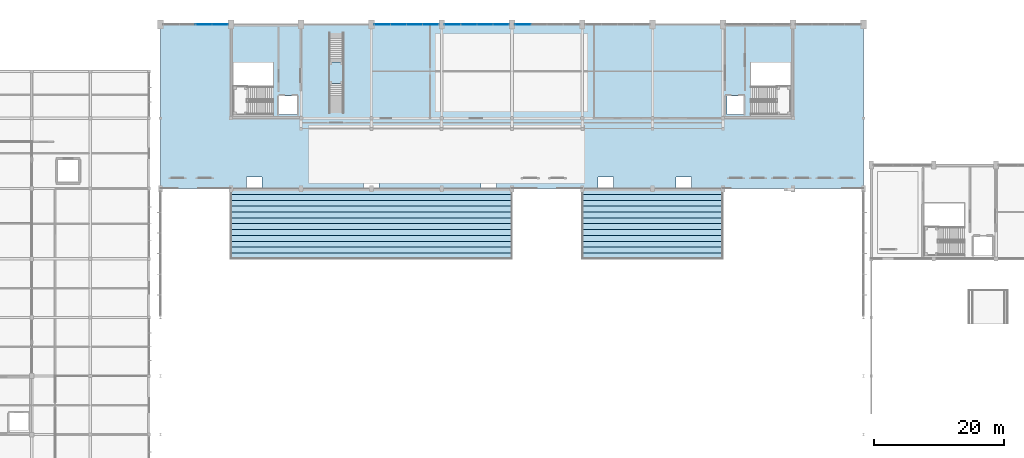
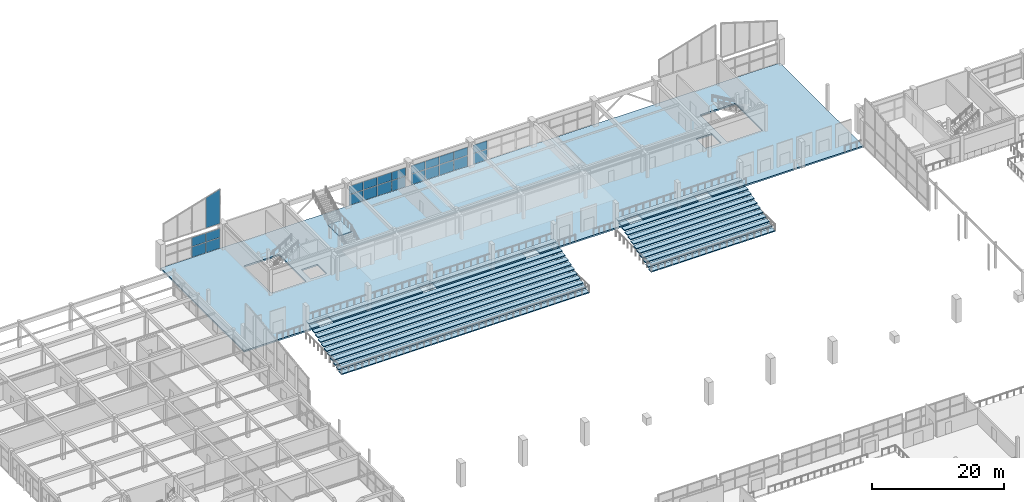
# One storey, part 43 of 74: 26 slabs, 23 plates, 6 elements without a shape of their own.
"""IFC4 building model written with IfcOpenShell, lengths in metres."""

from ifc_helpers import new_model, si_unit, direction, frame, origin, place, context, subcontext, project, spatial, polyline, outline, extrude, material, layer, layer_set, type_object, element, aggregate, save


model = new_model("IFC4")

# Units and contexts
model_context = context("Model", 3, precision=1e-05, world=origin(), true_north=direction((0.0, 1.0)))
body_context = subcontext(model_context, "Body", "Model", "MODEL_VIEW")
ifc_project = project(units=[si_unit("LENGTHUNIT", "METRE"), si_unit("AREAUNIT", "SQUARE_METRE"), si_unit("VOLUMEUNIT", "CUBIC_METRE"), si_unit("PLANEANGLEUNIT", "RADIAN"), si_unit("MASSUNIT", "GRAM", prefix="KILO")], contexts=[model_context])

# Site, building, storey
site_placement = place(None, origin())
site = spatial("IfcSite", under=ifc_project, at=site_placement, CompositionType="ELEMENT")
building_placement = place(site_placement, origin())
building = spatial("IfcBuilding", under=site, at=building_placement, Name="Suirenkawa Promenade Aquatics Centre", CompositionType="ELEMENT")
storey_placement = place(building_placement, frame((0.0, 0.0, 4.800048828125)))
storey = spatial("IfcBuildingStorey", under=building, at=storey_placement, Name="L01", CompositionType="ELEMENT", Elevation=4.800048828125)

# Curtain wall, plate
ifc_material_1 = material(Name="Anodised aluminium 6063-T6", Category="aluminium")
curtain_wall_type_1 = type_object("IfcCurtainWallType", Name="CWAT-CLERN-06", PredefinedType="NOTDEFINED", material=ifc_material_1)
curtain_wall_1_placement = place(storey_placement, origin())
curtain_wall_1 = element("IfcCurtainWall", 1, at=curtain_wall_1_placement, inside=storey, type_object=curtain_wall_type_1, Name="Curtain wall CWA-06 CW-010", PredefinedType="NOTDEFINED")
ifc_material_2 = material(Name="Ceramic-fritted low-SHGC double glazing", Category="glass")
ifc_layer_1 = layer(ifc_material_2, 0.031982421875, Name="Ceramic-fritted low-SHGC double glazing", Category="glass")
ifc_layer_set_1 = layer_set([ifc_layer_1], Name="Ceramic-fritted low-SHGC double glazing")
plate_type_1 = type_object("IfcPlateType", Name="CWP-CLER-32", PredefinedType="CURTAIN_PANEL", material=ifc_layer_set_1)
plate_1_placement = place(storey_placement, frame((54.675537109375, 122.39990234375, 4.599853515625), z_axis=(0.0, 0.0, 1.0), x_axis=(1.0, 0.0, 0.0)))
plate_1 = element("IfcPlate", 2, at=plate_1_placement, type_object=plate_type_1, Name="Top glazed panel CP-03 CWP-00242", PredefinedType="CURTAIN_PANEL", context=body_context, shape_type="SweptSolid", body=[
    extrude(outline(polyline([(0.0400390625, 0.0), (2.435546875, 0.0), (2.435546875, 6.31005859375), (0.0400390625, 5.56005859375), (0.0400390625, 0.0)])), frame((0.0, 0.01611328125, 0.0), z_axis=(0.0, -1.0, 0.0), x_axis=(1.0, 0.0, 0.0)), (0.0, 0.0, 1.0), 0.031982421875),
])
aggregate(curtain_wall_1, [plate_1])

# Curtain wall, plates
curtain_wall_type_2 = type_object("IfcCurtainWallType", Name="CWAT-V1CONC-07", PredefinedType="NOTDEFINED", material=ifc_material_1)
curtain_wall_2_placement = place(storey_placement, origin())
curtain_wall_2 = element("IfcCurtainWall", 3, at=curtain_wall_2_placement, inside=storey, type_object=curtain_wall_type_2, Name="Curtain wall CWA-07 CW-011", PredefinedType="NOTDEFINED")
ifc_material_3 = material(Name="Low-E thermally broken double glazing", Category="glass")
ifc_layer_2 = layer(ifc_material_3, 0.028076171875, Name="Low-E thermally broken double glazing", Category="glass")
ifc_layer_set_2 = layer_set([ifc_layer_2], Name="Low-E thermally broken double glazing")
plate_type_2 = type_object("IfcPlateType", Name="CWP-LOWE-28", PredefinedType="CURTAIN_PANEL", material=ifc_layer_set_2)
plate_2_placement = place(storey_placement, frame((52.199951171875, 122.39990234375, 0.0400390625), z_axis=(0.0, 0.0, 1.0), x_axis=(1.0, 0.0, 0.0)))
plate_2 = element("IfcPlate", 4, at=plate_2_placement, type_object=plate_type_2, Name="Glazed panel CP-02 CWP-00261", PredefinedType="CURTAIN_PANEL", context=body_context, shape_type="SweptSolid", body=[
    extrude(outline(polyline([(0.0400390625, 0.0), (2.435546875, 0.0), (2.435546875, 1.919921875), (0.0400390625, 1.919921875), (0.0400390625, 0.0)])), frame((0.0, 0.01416015625, 0.0), z_axis=(0.0, -1.0, 0.0), x_axis=(1.0, 0.0, 0.0)), (0.0, 0.0, 1.0), 0.028076171875),
])
plate_3_placement = place(storey_placement, frame((52.199951171875, 122.39990234375, 2.0400390625), z_axis=(0.0, 0.0, 1.0), x_axis=(1.0, 0.0, 0.0)))
plate_3 = element("IfcPlate", 5, at=plate_3_placement, type_object=plate_type_2, Name="Top glazed panel CP-02 CWP-00262", PredefinedType="CURTAIN_PANEL", context=body_context, shape_type="SweptSolid", body=[
    extrude(outline(polyline([(0.0400390625, 0.0), (2.435546875, 0.0), (2.435546875, 1.639892578125), (0.0400390625, 1.639892578125), (0.0400390625, 0.0)])), frame((0.0, 0.01416015625, 0.0), z_axis=(0.0, -1.0, 0.0), x_axis=(1.0, 0.0, 0.0)), (0.0, 0.0, 1.0), 0.028076171875),
])
plate_4_placement = place(storey_placement, frame((54.675537109375, 122.39990234375, 0.0400390625), z_axis=(0.0, 0.0, 1.0), x_axis=(1.0, 0.0, 0.0)))
plate_4 = element("IfcPlate", 6, at=plate_4_placement, type_object=plate_type_2, Name="Glazed panel CP-02 CWP-00263", PredefinedType="CURTAIN_PANEL", context=body_context, shape_type="SweptSolid", body=[
    extrude(outline(polyline([(0.0400390625, 0.0), (2.435546875, 0.0), (2.435546875, 1.919921875), (0.0400390625, 1.919921875), (0.0400390625, 0.0)])), frame((0.0, 0.01416015625, 0.0), z_axis=(0.0, -1.0, 0.0), x_axis=(1.0, 0.0, 0.0)), (0.0, 0.0, 1.0), 0.028076171875),
])
plate_5_placement = place(storey_placement, frame((54.675537109375, 122.39990234375, 2.0400390625), z_axis=(0.0, 0.0, 1.0), x_axis=(1.0, 0.0, 0.0)))
plate_5 = element("IfcPlate", 7, at=plate_5_placement, type_object=plate_type_2, Name="Top glazed panel CP-02 CWP-00264", PredefinedType="CURTAIN_PANEL", context=body_context, shape_type="SweptSolid", body=[
    extrude(outline(polyline([(0.0400390625, 0.0), (2.435546875, 0.0), (2.435546875, 1.639892578125), (0.0400390625, 1.639892578125), (0.0400390625, 0.0)])), frame((0.0, 0.01416015625, 0.0), z_axis=(0.0, -1.0, 0.0), x_axis=(1.0, 0.0, 0.0)), (0.0, 0.0, 1.0), 0.028076171875),
])
aggregate(curtain_wall_2, [plate_2, plate_3, plate_4, plate_5])

curtain_wall_type_3 = type_object("IfcCurtainWallType", Name="CWAT-V1CONC-11", PredefinedType="NOTDEFINED", material=ifc_material_1)
curtain_wall_3_placement = place(storey_placement, origin())
curtain_wall_3 = element("IfcCurtainWall", 8, at=curtain_wall_3_placement, inside=storey, type_object=curtain_wall_type_3, Name="Curtain wall CWA-11 CW-018", PredefinedType="NOTDEFINED")
plate_6_placement = place(storey_placement, frame((79.64892578125, 122.39990234375, 0.0400390625), z_axis=(0.0, 0.0, 1.0), x_axis=(1.0, 0.0, 0.0)))
plate_6 = element("IfcPlate", 9, at=plate_6_placement, type_object=plate_type_2, Name="Glazed panel CP-02 CWP-00393", PredefinedType="CURTAIN_PANEL", context=body_context, shape_type="SweptSolid", body=[
    extrude(outline(polyline([(0.0400390625, 0.0), (2.435546875, 0.0), (2.435546875, 1.919921875), (0.0400390625, 1.919921875), (0.0400390625, 0.0)])), frame((0.0, 0.01416015625, 0.0), z_axis=(0.0, -1.0, 0.0), x_axis=(1.0, 0.0, 0.0)), (0.0, 0.0, 1.0), 0.028076171875),
])
plate_7_placement = place(storey_placement, frame((79.64892578125, 122.39990234375, 2.0400390625), z_axis=(0.0, 0.0, 1.0), x_axis=(1.0, 0.0, 0.0)))
plate_7 = element("IfcPlate", 10, at=plate_7_placement, type_object=plate_type_2, Name="Top glazed panel CP-02 CWP-00394", PredefinedType="CURTAIN_PANEL", context=body_context, shape_type="SweptSolid", body=[
    extrude(outline(polyline([(0.0400390625, 0.0), (2.435546875, 0.0), (2.435546875, 1.52490234375), (0.0400390625, 1.52490234375), (0.0400390625, 0.0)])), frame((0.0, 0.01416015625, 0.0), z_axis=(0.0, -1.0, 0.0), x_axis=(1.0, 0.0, 0.0)), (0.0, 0.0, 1.0), 0.028076171875),
])
plate_8_placement = place(storey_placement, frame((82.12451171875, 122.39990234375, 0.0400390625), z_axis=(0.0, 0.0, 1.0), x_axis=(1.0, 0.0, 0.0)))
plate_8 = element("IfcPlate", 11, at=plate_8_placement, type_object=plate_type_2, Name="Glazed panel CP-02 CWP-00395", PredefinedType="CURTAIN_PANEL", context=body_context, shape_type="SweptSolid", body=[
    extrude(outline(polyline([(0.0400390625, 0.0), (2.435546875, 0.0), (2.435546875, 1.919921875), (0.0400390625, 1.919921875), (0.0400390625, 0.0)])), frame((0.0, 0.01416015625, 0.0), z_axis=(0.0, -1.0, 0.0), x_axis=(1.0, 0.0, 0.0)), (0.0, 0.0, 1.0), 0.028076171875),
])
plate_9_placement = place(storey_placement, frame((82.12451171875, 122.39990234375, 2.0400390625), z_axis=(0.0, 0.0, 1.0), x_axis=(1.0, 0.0, 0.0)))
plate_9 = element("IfcPlate", 12, at=plate_9_placement, type_object=plate_type_2, Name="Top glazed panel CP-02 CWP-00396", PredefinedType="CURTAIN_PANEL", context=body_context, shape_type="SweptSolid", body=[
    extrude(outline(polyline([(0.0400390625, 0.0), (2.435546875, 0.0), (2.435546875, 1.52490234375), (0.0400390625, 1.52490234375), (0.0400390625, 0.0)])), frame((0.0, 0.01416015625, 0.0), z_axis=(0.0, -1.0, 0.0), x_axis=(1.0, 0.0, 0.0)), (0.0, 0.0, 1.0), 0.028076171875),
])
plate_10_placement = place(storey_placement, frame((84.60009765625, 122.39990234375, 0.0400390625), z_axis=(0.0, 0.0, 1.0), x_axis=(1.0, 0.0, 0.0)))
plate_10 = element("IfcPlate", 13, at=plate_10_placement, type_object=plate_type_2, Name="Glazed panel CP-02 CWP-00397", PredefinedType="CURTAIN_PANEL", context=body_context, shape_type="SweptSolid", body=[
    extrude(outline(polyline([(0.0400390625, 0.0), (2.435546875, 0.0), (2.435546875, 1.919921875), (0.0400390625, 1.919921875), (0.0400390625, 0.0)])), frame((0.0, 0.01416015625, 0.0), z_axis=(0.0, -1.0, 0.0), x_axis=(1.0, 0.0, 0.0)), (0.0, 0.0, 1.0), 0.028076171875),
])
plate_11_placement = place(storey_placement, frame((84.60009765625, 122.39990234375, 2.0400390625), z_axis=(0.0, 0.0, 1.0), x_axis=(1.0, 0.0, 0.0)))
plate_11 = element("IfcPlate", 14, at=plate_11_placement, type_object=plate_type_2, Name="Top glazed panel CP-02 CWP-00398", PredefinedType="CURTAIN_PANEL", context=body_context, shape_type="SweptSolid", body=[
    extrude(outline(polyline([(0.0400390625, 0.0), (2.435546875, 0.0), (2.435546875, 1.52490234375), (0.0400390625, 1.52490234375), (0.0400390625, 0.0)])), frame((0.0, 0.01416015625, 0.0), z_axis=(0.0, -1.0, 0.0), x_axis=(1.0, 0.0, 0.0)), (0.0, 0.0, 1.0), 0.028076171875),
])
plate_12_placement = place(storey_placement, frame((87.075439453125, 122.39990234375, 0.0400390625), z_axis=(0.0, 0.0, 1.0), x_axis=(1.0, 0.0, 0.0)))
plate_12 = element("IfcPlate", 15, at=plate_12_placement, type_object=plate_type_2, Name="Glazed panel CP-02 CWP-00399", PredefinedType="CURTAIN_PANEL", context=body_context, shape_type="SweptSolid", body=[
    extrude(outline(polyline([(0.0400390625, 0.0), (2.435546875, 0.0), (2.435546875, 1.919921875), (0.0400390625, 1.919921875), (0.0400390625, 0.0)])), frame((0.0, 0.01416015625, 0.0), z_axis=(0.0, -1.0, 0.0), x_axis=(1.0, 0.0, 0.0)), (0.0, 0.0, 1.0), 0.028076171875),
])
plate_13_placement = place(storey_placement, frame((87.075439453125, 122.39990234375, 2.0400390625), z_axis=(0.0, 0.0, 1.0), x_axis=(1.0, 0.0, 0.0)))
plate_13 = element("IfcPlate", 16, at=plate_13_placement, type_object=plate_type_2, Name="Top glazed panel CP-02 CWP-00400", PredefinedType="CURTAIN_PANEL", context=body_context, shape_type="SweptSolid", body=[
    extrude(outline(polyline([(0.0400390625, 0.0), (2.435546875, 0.0), (2.435546875, 1.52490234375), (0.0400390625, 1.52490234375), (0.0400390625, 0.0)])), frame((0.0, 0.01416015625, 0.0), z_axis=(0.0, -1.0, 0.0), x_axis=(1.0, 0.0, 0.0)), (0.0, 0.0, 1.0), 0.028076171875),
])
aggregate(curtain_wall_3, [plate_6, plate_7, plate_8, plate_9, plate_10, plate_11, plate_12, plate_13])

curtain_wall_4_placement = place(storey_placement, origin())
curtain_wall_4 = element("IfcCurtainWall", 17, at=curtain_wall_4_placement, inside=storey, type_object=curtain_wall_type_3, Name="Curtain wall CWA-11 CW-021", PredefinedType="NOTDEFINED")
plate_14_placement = place(storey_placement, frame((90.448974609375, 122.39990234375, 0.0400390625), z_axis=(0.0, 0.0, 1.0), x_axis=(1.0, 0.0, 0.0)))
plate_14 = element("IfcPlate", 18, at=plate_14_placement, type_object=plate_type_2, Name="Glazed panel CP-02 CWP-00453", PredefinedType="CURTAIN_PANEL", context=body_context, shape_type="SweptSolid", body=[
    extrude(outline(polyline([(0.0400390625, 0.0), (2.435546875, 0.0), (2.435546875, 1.919921875), (0.0400390625, 1.919921875), (0.0400390625, 0.0)])), frame((0.0, 0.01416015625, 0.0), z_axis=(0.0, -1.0, 0.0), x_axis=(1.0, 0.0, 0.0)), (0.0, 0.0, 1.0), 0.028076171875),
])
plate_15_placement = place(storey_placement, frame((90.448974609375, 122.39990234375, 2.0400390625), z_axis=(0.0, 0.0, 1.0), x_axis=(1.0, 0.0, 0.0)))
plate_15 = element("IfcPlate", 19, at=plate_15_placement, type_object=plate_type_2, Name="Top glazed panel CP-02 CWP-00454", PredefinedType="CURTAIN_PANEL", context=body_context, shape_type="SweptSolid", body=[
    extrude(outline(polyline([(0.0400390625, 0.0), (2.435546875, 0.0), (2.435546875, 1.52490234375), (0.0400390625, 1.52490234375), (0.0400390625, 0.0)])), frame((0.0, 0.01416015625, 0.0), z_axis=(0.0, -1.0, 0.0), x_axis=(1.0, 0.0, 0.0)), (0.0, 0.0, 1.0), 0.028076171875),
])
plate_16_placement = place(storey_placement, frame((92.924560546875, 122.39990234375, 0.0400390625), z_axis=(0.0, 0.0, 1.0), x_axis=(1.0, 0.0, 0.0)))
plate_16 = element("IfcPlate", 20, at=plate_16_placement, type_object=plate_type_2, Name="Glazed panel CP-02 CWP-00455", PredefinedType="CURTAIN_PANEL", context=body_context, shape_type="SweptSolid", body=[
    extrude(outline(polyline([(0.0400390625, 0.0), (2.435546875, 0.0), (2.435546875, 1.919921875), (0.0400390625, 1.919921875), (0.0400390625, 0.0)])), frame((0.0, 0.01416015625, 0.0), z_axis=(0.0, -1.0, 0.0), x_axis=(1.0, 0.0, 0.0)), (0.0, 0.0, 1.0), 0.028076171875),
])
plate_17_placement = place(storey_placement, frame((92.924560546875, 122.39990234375, 2.0400390625), z_axis=(0.0, 0.0, 1.0), x_axis=(1.0, 0.0, 0.0)))
plate_17 = element("IfcPlate", 21, at=plate_17_placement, type_object=plate_type_2, Name="Top glazed panel CP-02 CWP-00456", PredefinedType="CURTAIN_PANEL", context=body_context, shape_type="SweptSolid", body=[
    extrude(outline(polyline([(0.0400390625, 0.0), (2.435546875, 0.0), (2.435546875, 1.52490234375), (0.0400390625, 1.52490234375), (0.0400390625, 0.0)])), frame((0.0, 0.01416015625, 0.0), z_axis=(0.0, -1.0, 0.0), x_axis=(1.0, 0.0, 0.0)), (0.0, 0.0, 1.0), 0.028076171875),
])
plate_18_placement = place(storey_placement, frame((95.39990234375, 122.39990234375, 0.0400390625), z_axis=(0.0, 0.0, 1.0), x_axis=(1.0, 0.0, 0.0)))
plate_18 = element("IfcPlate", 22, at=plate_18_placement, type_object=plate_type_2, Name="Glazed panel CP-02 CWP-00457", PredefinedType="CURTAIN_PANEL", context=body_context, shape_type="SweptSolid", body=[
    extrude(outline(polyline([(0.0400390625, 0.0), (2.435546875, 0.0), (2.435546875, 1.919921875), (0.0400390625, 1.919921875), (0.0400390625, 0.0)])), frame((0.0, 0.01416015625, 0.0), z_axis=(0.0, -1.0, 0.0), x_axis=(1.0, 0.0, 0.0)), (0.0, 0.0, 1.0), 0.028076171875),
])
plate_19_placement = place(storey_placement, frame((95.39990234375, 122.39990234375, 2.0400390625), z_axis=(0.0, 0.0, 1.0), x_axis=(1.0, 0.0, 0.0)))
plate_19 = element("IfcPlate", 23, at=plate_19_placement, type_object=plate_type_2, Name="Top glazed panel CP-02 CWP-00458", PredefinedType="CURTAIN_PANEL", context=body_context, shape_type="SweptSolid", body=[
    extrude(outline(polyline([(0.0400390625, 0.0), (2.435546875, 0.0), (2.435546875, 1.52490234375), (0.0400390625, 1.52490234375), (0.0400390625, 0.0)])), frame((0.0, 0.01416015625, 0.0), z_axis=(0.0, -1.0, 0.0), x_axis=(1.0, 0.0, 0.0)), (0.0, 0.0, 1.0), 0.028076171875),
])
plate_20_placement = place(storey_placement, frame((97.87548828125, 122.39990234375, 0.0400390625), z_axis=(0.0, 0.0, 1.0), x_axis=(1.0, 0.0, 0.0)))
plate_20 = element("IfcPlate", 24, at=plate_20_placement, type_object=plate_type_2, Name="Glazed panel CP-02 CWP-00459", PredefinedType="CURTAIN_PANEL", context=body_context, shape_type="SweptSolid", body=[
    extrude(outline(polyline([(0.0400390625, 0.0), (2.435546875, 0.0), (2.435546875, 1.919921875), (0.0400390625, 1.919921875), (0.0400390625, 0.0)])), frame((0.0, 0.01416015625, 0.0), z_axis=(0.0, -1.0, 0.0), x_axis=(1.0, 0.0, 0.0)), (0.0, 0.0, 1.0), 0.028076171875),
])
plate_21_placement = place(storey_placement, frame((97.87548828125, 122.39990234375, 2.0400390625), z_axis=(0.0, 0.0, 1.0), x_axis=(1.0, 0.0, 0.0)))
plate_21 = element("IfcPlate", 25, at=plate_21_placement, type_object=plate_type_2, Name="Top glazed panel CP-02 CWP-00460", PredefinedType="CURTAIN_PANEL", context=body_context, shape_type="SweptSolid", body=[
    extrude(outline(polyline([(0.0400390625, 0.0), (2.435546875, 0.0), (2.435546875, 1.52490234375), (0.0400390625, 1.52490234375), (0.0400390625, 0.0)])), frame((0.0, 0.01416015625, 0.0), z_axis=(0.0, -1.0, 0.0), x_axis=(1.0, 0.0, 0.0)), (0.0, 0.0, 1.0), 0.028076171875),
])
aggregate(curtain_wall_4, [plate_14, plate_15, plate_16, plate_17, plate_18, plate_19, plate_20, plate_21])

curtain_wall_5_placement = place(storey_placement, origin())
curtain_wall_5 = element("IfcCurtainWall", 26, at=curtain_wall_5_placement, inside=storey, type_object=curtain_wall_type_3, Name="Curtain wall CWA-11 CW-024", PredefinedType="NOTDEFINED")
plate_22_placement = place(storey_placement, frame((101.2490234375, 122.39990234375, 0.0400390625), z_axis=(0.0, 0.0, 1.0), x_axis=(1.0, 0.0, 0.0)))
plate_22 = element("IfcPlate", 27, at=plate_22_placement, type_object=plate_type_2, Name="Glazed panel CP-02 CWP-00513", PredefinedType="CURTAIN_PANEL", context=body_context, shape_type="SweptSolid", body=[
    extrude(outline(polyline([(0.0400390625, 0.0), (2.435546875, 0.0), (2.435546875, 1.919921875), (0.0400390625, 1.919921875), (0.0400390625, 0.0)])), frame((0.0, 0.01416015625, 0.0), z_axis=(0.0, -1.0, 0.0), x_axis=(1.0, 0.0, 0.0)), (0.0, 0.0, 1.0), 0.028076171875),
])
plate_23_placement = place(storey_placement, frame((101.2490234375, 122.39990234375, 2.0400390625), z_axis=(0.0, 0.0, 1.0), x_axis=(1.0, 0.0, 0.0)))
plate_23 = element("IfcPlate", 28, at=plate_23_placement, type_object=plate_type_2, Name="Top glazed panel CP-02 CWP-00514", PredefinedType="CURTAIN_PANEL", context=body_context, shape_type="SweptSolid", body=[
    extrude(outline(polyline([(0.0400390625, 0.0), (2.435546875, 0.0), (2.435546875, 1.52490234375), (0.0400390625, 1.52490234375), (0.0400390625, 0.0)])), frame((0.0, 0.01416015625, 0.0), z_axis=(0.0, -1.0, 0.0), x_axis=(1.0, 0.0, 0.0)), (0.0, 0.0, 1.0), 0.028076171875),
])
aggregate(curtain_wall_5, [plate_22, plate_23])

# Slab
ifc_material_4 = material(Name="Concrete M35", Category="concrete")
ifc_layer_3 = layer(ifc_material_4, 0.280029296875, Name="Concrete M35", Category="concrete")
ifc_layer_set_3 = layer_set([ifc_layer_3], Name="Concrete M35")
slab_type_1 = type_object("IfcSlabType", Name="SLT-CONC-280", PredefinedType="FLOOR", material=ifc_layer_set_3)
slab_1_placement = place(storey_placement, frame((0.0, 0.0, -0.280029296875)))
element("IfcSlab", 29, at=slab_1_placement, inside=storey, type_object=slab_type_1, Name="V1 spectator concourse slab SL-FLR-03 SL-0013", PredefinedType="FLOOR", context=body_context, shape_type="SweptSolid", body=[
    extrude(outline(polyline([(46.800048828125, 97.199951171875), (60.0, 97.199951171875), (60.0, 99.0), (62.39990234375, 99.0), (62.39990234375, 97.199951171875), (78.0, 97.199951171875), (78.0, 99.0), (80.39990234375, 99.0), (80.39990234375, 97.199951171875), (96.0, 97.199951171875), (96.0, 99.0), (98.39990234375, 99.0), (98.39990234375, 97.199951171875), (114.0, 97.199951171875), (114.0, 99.0), (116.39990234375, 99.0), (116.39990234375, 97.199951171875), (126.0, 97.199951171875), (126.0, 99.0), (128.39990234375, 99.0), (128.39990234375, 97.199951171875), (154.800048828125, 97.199951171875), (154.800048828125, 122.39990234375), (46.800048828125, 122.39990234375), (46.800048828125, 97.199951171875)]), holes=[polyline([(57.9599609375, 108.360107421875), (64.10009765625, 108.360107421875), (64.10009765625, 116.56005859375), (57.9599609375, 116.56005859375), (57.9599609375, 108.360107421875)]), polyline([(65.0, 108.60009765625), (67.800048828125, 108.60009765625), (67.800048828125, 111.39990234375), (65.0, 111.39990234375), (65.0, 108.60009765625)]), polyline([(137.5, 108.360107421875), (143.639892578125, 108.360107421875), (143.639892578125, 116.56005859375), (137.5, 116.56005859375), (137.5, 108.360107421875)]), polyline([(133.800048828125, 108.60009765625), (136.60009765625, 108.60009765625), (136.60009765625, 111.39990234375), (133.800048828125, 111.39990234375), (133.800048828125, 108.60009765625)])]), origin(), (0.0, 0.0, 1.0), 0.280029296875),
])

# Stair, slab
ifc_material_5 = material(Name="Concrete M40", Category="concrete")
stair_type = type_object("IfcStairType", Name="STT-FOYER-2600", PredefinedType="STRAIGHT_RUN_STAIR", material=ifc_material_5)
stair_placement = place(storey_placement, origin())
stair = element("IfcStair", 30, at=stair_placement, inside=storey, type_object=stair_type, Name="Grand assembly cascade stair STR-05 ST-37", PredefinedType="STRAIGHT_RUN_STAIR")
ifc_layer_4 = layer(ifc_material_5, 0.169921875, Name="Concrete M40", Category="concrete")
ifc_layer_set_4 = layer_set([ifc_layer_4], Name="Concrete M40")
slab_type_2 = type_object("IfcSlabType", Name="SLT-LANDING-170", PredefinedType="LANDING", material=ifc_layer_set_4)
slab_2_placement = place(storey_placement, frame((0.0, 0.0, 2.219970703125)))
slab_2 = element("IfcSlab", 31, at=slab_2_placement, type_object=slab_type_2, Name="Cascade landing SL-LND-01 SL-8037", PredefinedType="LANDING", context=body_context, shape_type="SweptSolid", body=[
    extrude(outline(polyline([(72.675048828125, 113.304931640625), (74.925048828125, 113.304931640625), (74.925048828125, 116.64501953125), (72.675048828125, 116.64501953125), (72.675048828125, 113.304931640625)])), origin(), (0.0, 0.0, 1.0), 0.179931640625),
])
aggregate(stair, [slab_2])

# Slabs
ifc_material_6 = material(Name="Precast concrete M45", Category="concrete")
ifc_layer_5 = layer(ifc_material_6, 0.18994140625, Name="Precast concrete M45", Category="concrete")
ifc_layer_set_5 = layer_set([ifc_layer_5], Name="Precast concrete M45")
slab_type_3 = type_object("IfcSlabType", Name="SLT-TIER-190", PredefinedType="USERDEFINED", material=ifc_layer_set_5)
slab_3_placement = place(storey_placement, frame((0.0, 0.0, -1.68994140625)))
element("IfcSlab", 32, at=slab_3_placement, inside=storey, type_object=slab_type_3, Name="Stand lower tier row 1 block 1 SL-TIER-01 SL-0014", ObjectType="SEATING TIER", PredefinedType="USERDEFINED", context=body_context, shape_type="SweptSolid", body=[
    extrude(outline(polyline([(57.60009765625, 86.39990234375), (100.800048828125, 86.39990234375), (100.800048828125, 87.300048828125), (57.60009765625, 87.300048828125), (57.60009765625, 86.39990234375)])), origin(), (0.0, 0.0, 1.0), 0.18994140625),
])
slab_4_placement = place(storey_placement, frame((0.0, 0.0, -1.68994140625)))
element("IfcSlab", 33, at=slab_4_placement, inside=storey, type_object=slab_type_3, Name="Stand lower tier row 1 block 2 SL-TIER-01 SL-0015", ObjectType="SEATING TIER", PredefinedType="USERDEFINED", context=body_context, shape_type="SweptSolid", body=[
    extrude(outline(polyline([(111.60009765625, 86.39990234375), (133.199951171875, 86.39990234375), (133.199951171875, 87.300048828125), (111.60009765625, 87.300048828125), (111.60009765625, 86.39990234375)])), origin(), (0.0, 0.0, 1.0), 0.18994140625),
])
slab_5_placement = place(storey_placement, frame((0.0, 0.0, -1.39013671875)))
element("IfcSlab", 34, at=slab_5_placement, inside=storey, type_object=slab_type_3, Name="Stand lower tier row 2 block 1 SL-TIER-01 SL-0016", ObjectType="SEATING TIER", PredefinedType="USERDEFINED", context=body_context, shape_type="SweptSolid", body=[
    extrude(outline(polyline([(57.60009765625, 87.300048828125), (100.800048828125, 87.300048828125), (100.800048828125, 88.199951171875), (57.60009765625, 88.199951171875), (57.60009765625, 87.300048828125)])), origin(), (0.0, 0.0, 1.0), 0.190185546875),
])
slab_6_placement = place(storey_placement, frame((0.0, 0.0, -1.39013671875)))
element("IfcSlab", 35, at=slab_6_placement, inside=storey, type_object=slab_type_3, Name="Stand lower tier row 2 block 2 SL-TIER-01 SL-0017", ObjectType="SEATING TIER", PredefinedType="USERDEFINED", context=body_context, shape_type="SweptSolid", body=[
    extrude(outline(polyline([(111.60009765625, 87.300048828125), (133.199951171875, 87.300048828125), (133.199951171875, 88.199951171875), (111.60009765625, 88.199951171875), (111.60009765625, 87.300048828125)])), origin(), (0.0, 0.0, 1.0), 0.190185546875),
])
slab_7_placement = place(storey_placement, frame((0.0, 0.0, -1.090087890625)))
element("IfcSlab", 36, at=slab_7_placement, inside=storey, type_object=slab_type_3, Name="Stand lower tier row 3 block 1 SL-TIER-01 SL-0018", ObjectType="SEATING TIER", PredefinedType="USERDEFINED", context=body_context, shape_type="SweptSolid", body=[
    extrude(outline(polyline([(57.60009765625, 88.199951171875), (100.800048828125, 88.199951171875), (100.800048828125, 89.10009765625), (57.60009765625, 89.10009765625), (57.60009765625, 88.199951171875)])), origin(), (0.0, 0.0, 1.0), 0.18994140625),
])
slab_8_placement = place(storey_placement, frame((0.0, 0.0, -1.090087890625)))
element("IfcSlab", 37, at=slab_8_placement, inside=storey, type_object=slab_type_3, Name="Stand lower tier row 3 block 2 SL-TIER-01 SL-0019", ObjectType="SEATING TIER", PredefinedType="USERDEFINED", context=body_context, shape_type="SweptSolid", body=[
    extrude(outline(polyline([(111.60009765625, 88.199951171875), (133.199951171875, 88.199951171875), (133.199951171875, 89.10009765625), (111.60009765625, 89.10009765625), (111.60009765625, 88.199951171875)])), origin(), (0.0, 0.0, 1.0), 0.18994140625),
])
slab_9_placement = place(storey_placement, frame((0.0, 0.0, -0.7900390625)))
element("IfcSlab", 38, at=slab_9_placement, inside=storey, type_object=slab_type_3, Name="Stand lower tier row 4 block 1 SL-TIER-01 SL-0020", ObjectType="SEATING TIER", PredefinedType="USERDEFINED", context=body_context, shape_type="SweptSolid", body=[
    extrude(outline(polyline([(57.60009765625, 89.10009765625), (100.800048828125, 89.10009765625), (100.800048828125, 90.0), (57.60009765625, 90.0), (57.60009765625, 89.10009765625)])), origin(), (0.0, 0.0, 1.0), 0.18994140625),
])
slab_10_placement = place(storey_placement, frame((0.0, 0.0, -0.7900390625)))
element("IfcSlab", 39, at=slab_10_placement, inside=storey, type_object=slab_type_3, Name="Stand lower tier row 4 block 2 SL-TIER-01 SL-0021", ObjectType="SEATING TIER", PredefinedType="USERDEFINED", context=body_context, shape_type="SweptSolid", body=[
    extrude(outline(polyline([(111.60009765625, 89.10009765625), (133.199951171875, 89.10009765625), (133.199951171875, 90.0), (111.60009765625, 90.0), (111.60009765625, 89.10009765625)])), origin(), (0.0, 0.0, 1.0), 0.18994140625),
])
slab_11_placement = place(storey_placement, frame((0.0, 0.0, -0.489990234375)))
element("IfcSlab", 40, at=slab_11_placement, inside=storey, type_object=slab_type_3, Name="Stand lower tier row 5 block 1 SL-TIER-01 SL-0022", ObjectType="SEATING TIER", PredefinedType="USERDEFINED", context=body_context, shape_type="SweptSolid", body=[
    extrude(outline(polyline([(57.60009765625, 90.0), (100.800048828125, 90.0), (100.800048828125, 90.89990234375), (57.60009765625, 90.89990234375), (57.60009765625, 90.0)])), origin(), (0.0, 0.0, 1.0), 0.18994140625),
])
slab_12_placement = place(storey_placement, frame((0.0, 0.0, -0.489990234375)))
element("IfcSlab", 41, at=slab_12_placement, inside=storey, type_object=slab_type_3, Name="Stand lower tier row 5 block 2 SL-TIER-01 SL-0023", ObjectType="SEATING TIER", PredefinedType="USERDEFINED", context=body_context, shape_type="SweptSolid", body=[
    extrude(outline(polyline([(111.60009765625, 90.0), (133.199951171875, 90.0), (133.199951171875, 90.89990234375), (111.60009765625, 90.89990234375), (111.60009765625, 90.0)])), origin(), (0.0, 0.0, 1.0), 0.18994140625),
])
slab_13_placement = place(storey_placement, frame((0.0, 0.0, -0.18994140625)))
element("IfcSlab", 42, at=slab_13_placement, inside=storey, type_object=slab_type_3, Name="Stand lower tier row 6 block 1 SL-TIER-01 SL-0024", ObjectType="SEATING TIER", PredefinedType="USERDEFINED", context=body_context, shape_type="SweptSolid", body=[
    extrude(outline(polyline([(57.60009765625, 90.89990234375), (100.800048828125, 90.89990234375), (100.800048828125, 91.800048828125), (57.60009765625, 91.800048828125), (57.60009765625, 90.89990234375)])), origin(), (0.0, 0.0, 1.0), 0.18994140625),
])
slab_14_placement = place(storey_placement, frame((0.0, 0.0, -0.18994140625)))
element("IfcSlab", 43, at=slab_14_placement, inside=storey, type_object=slab_type_3, Name="Stand lower tier row 6 block 2 SL-TIER-01 SL-0025", ObjectType="SEATING TIER", PredefinedType="USERDEFINED", context=body_context, shape_type="SweptSolid", body=[
    extrude(outline(polyline([(111.60009765625, 90.89990234375), (133.199951171875, 90.89990234375), (133.199951171875, 91.800048828125), (111.60009765625, 91.800048828125), (111.60009765625, 90.89990234375)])), origin(), (0.0, 0.0, 1.0), 0.18994140625),
])
slab_15_placement = place(storey_placement, frame((0.0, 0.0, 0.10986328125)))
element("IfcSlab", 44, at=slab_15_placement, inside=storey, type_object=slab_type_3, Name="Stand lower tier row 7 block 1 SL-TIER-01 SL-0026", ObjectType="SEATING TIER", PredefinedType="USERDEFINED", context=body_context, shape_type="SweptSolid", body=[
    extrude(outline(polyline([(57.60009765625, 91.800048828125), (100.800048828125, 91.800048828125), (100.800048828125, 92.699951171875), (57.60009765625, 92.699951171875), (57.60009765625, 91.800048828125)])), origin(), (0.0, 0.0, 1.0), 0.190185546875),
])
slab_16_placement = place(storey_placement, frame((0.0, 0.0, 0.10986328125)))
element("IfcSlab", 45, at=slab_16_placement, inside=storey, type_object=slab_type_3, Name="Stand lower tier row 7 block 2 SL-TIER-01 SL-0027", ObjectType="SEATING TIER", PredefinedType="USERDEFINED", context=body_context, shape_type="SweptSolid", body=[
    extrude(outline(polyline([(111.60009765625, 91.800048828125), (133.199951171875, 91.800048828125), (133.199951171875, 92.699951171875), (111.60009765625, 92.699951171875), (111.60009765625, 91.800048828125)])), origin(), (0.0, 0.0, 1.0), 0.190185546875),
])
slab_17_placement = place(storey_placement, frame((0.0, 0.0, 0.409912109375)))
element("IfcSlab", 46, at=slab_17_placement, inside=storey, type_object=slab_type_3, Name="Stand lower tier row 8 block 1 SL-TIER-01 SL-0028", ObjectType="SEATING TIER", PredefinedType="USERDEFINED", context=body_context, shape_type="SweptSolid", body=[
    extrude(outline(polyline([(57.60009765625, 92.699951171875), (100.800048828125, 92.699951171875), (100.800048828125, 93.60009765625), (57.60009765625, 93.60009765625), (57.60009765625, 92.699951171875)])), origin(), (0.0, 0.0, 1.0), 0.18994140625),
])
slab_18_placement = place(storey_placement, frame((0.0, 0.0, 0.409912109375)))
element("IfcSlab", 47, at=slab_18_placement, inside=storey, type_object=slab_type_3, Name="Stand lower tier row 8 block 2 SL-TIER-01 SL-0029", ObjectType="SEATING TIER", PredefinedType="USERDEFINED", context=body_context, shape_type="SweptSolid", body=[
    extrude(outline(polyline([(111.60009765625, 92.699951171875), (133.199951171875, 92.699951171875), (133.199951171875, 93.60009765625), (111.60009765625, 93.60009765625), (111.60009765625, 92.699951171875)])), origin(), (0.0, 0.0, 1.0), 0.18994140625),
])
slab_19_placement = place(storey_placement, frame((0.0, 0.0, 0.7099609375)))
element("IfcSlab", 48, at=slab_19_placement, inside=storey, type_object=slab_type_3, Name="Stand lower tier row 9 block 1 SL-TIER-01 SL-0030", ObjectType="SEATING TIER", PredefinedType="USERDEFINED", context=body_context, shape_type="SweptSolid", body=[
    extrude(outline(polyline([(57.60009765625, 93.60009765625), (100.800048828125, 93.60009765625), (100.800048828125, 94.5), (57.60009765625, 94.5), (57.60009765625, 93.60009765625)])), origin(), (0.0, 0.0, 1.0), 0.18994140625),
])
slab_20_placement = place(storey_placement, frame((0.0, 0.0, 0.7099609375)))
element("IfcSlab", 49, at=slab_20_placement, inside=storey, type_object=slab_type_3, Name="Stand lower tier row 9 block 2 SL-TIER-01 SL-0031", ObjectType="SEATING TIER", PredefinedType="USERDEFINED", context=body_context, shape_type="SweptSolid", body=[
    extrude(outline(polyline([(111.60009765625, 93.60009765625), (133.199951171875, 93.60009765625), (133.199951171875, 94.5), (111.60009765625, 94.5), (111.60009765625, 93.60009765625)])), origin(), (0.0, 0.0, 1.0), 0.18994140625),
])
slab_21_placement = place(storey_placement, frame((0.0, 0.0, 1.010009765625)))
element("IfcSlab", 50, at=slab_21_placement, inside=storey, type_object=slab_type_3, Name="Stand lower tier row 10 block 1 SL-TIER-01 SL-0032", ObjectType="SEATING TIER", PredefinedType="USERDEFINED", context=body_context, shape_type="SweptSolid", body=[
    extrude(outline(polyline([(57.60009765625, 94.5), (100.800048828125, 94.5), (100.800048828125, 95.39990234375), (57.60009765625, 95.39990234375), (57.60009765625, 94.5)])), origin(), (0.0, 0.0, 1.0), 0.18994140625),
])
slab_22_placement = place(storey_placement, frame((0.0, 0.0, 1.010009765625)))
element("IfcSlab", 51, at=slab_22_placement, inside=storey, type_object=slab_type_3, Name="Stand lower tier row 10 block 2 SL-TIER-01 SL-0033", ObjectType="SEATING TIER", PredefinedType="USERDEFINED", context=body_context, shape_type="SweptSolid", body=[
    extrude(outline(polyline([(111.60009765625, 94.5), (133.199951171875, 94.5), (133.199951171875, 95.39990234375), (111.60009765625, 95.39990234375), (111.60009765625, 94.5)])), origin(), (0.0, 0.0, 1.0), 0.18994140625),
])
slab_23_placement = place(storey_placement, frame((0.0, 0.0, 1.31005859375)))
element("IfcSlab", 52, at=slab_23_placement, inside=storey, type_object=slab_type_3, Name="Stand lower tier row 11 block 1 SL-TIER-01 SL-0034", ObjectType="SEATING TIER", PredefinedType="USERDEFINED", context=body_context, shape_type="SweptSolid", body=[
    extrude(outline(polyline([(57.60009765625, 95.39990234375), (100.800048828125, 95.39990234375), (100.800048828125, 96.300048828125), (57.60009765625, 96.300048828125), (57.60009765625, 95.39990234375)])), origin(), (0.0, 0.0, 1.0), 0.18994140625),
])
slab_24_placement = place(storey_placement, frame((0.0, 0.0, 1.31005859375)))
element("IfcSlab", 53, at=slab_24_placement, inside=storey, type_object=slab_type_3, Name="Stand lower tier row 11 block 2 SL-TIER-01 SL-0035", ObjectType="SEATING TIER", PredefinedType="USERDEFINED", context=body_context, shape_type="SweptSolid", body=[
    extrude(outline(polyline([(111.60009765625, 95.39990234375), (133.199951171875, 95.39990234375), (133.199951171875, 96.300048828125), (111.60009765625, 96.300048828125), (111.60009765625, 95.39990234375)])), origin(), (0.0, 0.0, 1.0), 0.18994140625),
])
slab_25_placement = place(storey_placement, frame((0.0, 0.0, 1.60986328125)))
element("IfcSlab", 54, at=slab_25_placement, inside=storey, type_object=slab_type_3, Name="Stand lower tier row 12 block 1 SL-TIER-01 SL-0036", ObjectType="SEATING TIER", PredefinedType="USERDEFINED", context=body_context, shape_type="SweptSolid", body=[
    extrude(outline(polyline([(57.60009765625, 96.300048828125), (100.800048828125, 96.300048828125), (100.800048828125, 97.199951171875), (57.60009765625, 97.199951171875), (57.60009765625, 96.300048828125)])), origin(), (0.0, 0.0, 1.0), 0.190185546875),
])
slab_26_placement = place(storey_placement, frame((0.0, 0.0, 1.60986328125)))
element("IfcSlab", 55, at=slab_26_placement, inside=storey, type_object=slab_type_3, Name="Stand lower tier row 12 block 2 SL-TIER-01 SL-0037", ObjectType="SEATING TIER", PredefinedType="USERDEFINED", context=body_context, shape_type="SweptSolid", body=[
    extrude(outline(polyline([(111.60009765625, 96.300048828125), (133.199951171875, 96.300048828125), (133.199951171875, 97.199951171875), (111.60009765625, 97.199951171875), (111.60009765625, 96.300048828125)])), origin(), (0.0, 0.0, 1.0), 0.190185546875),
])

save(model, "model.ifc")
